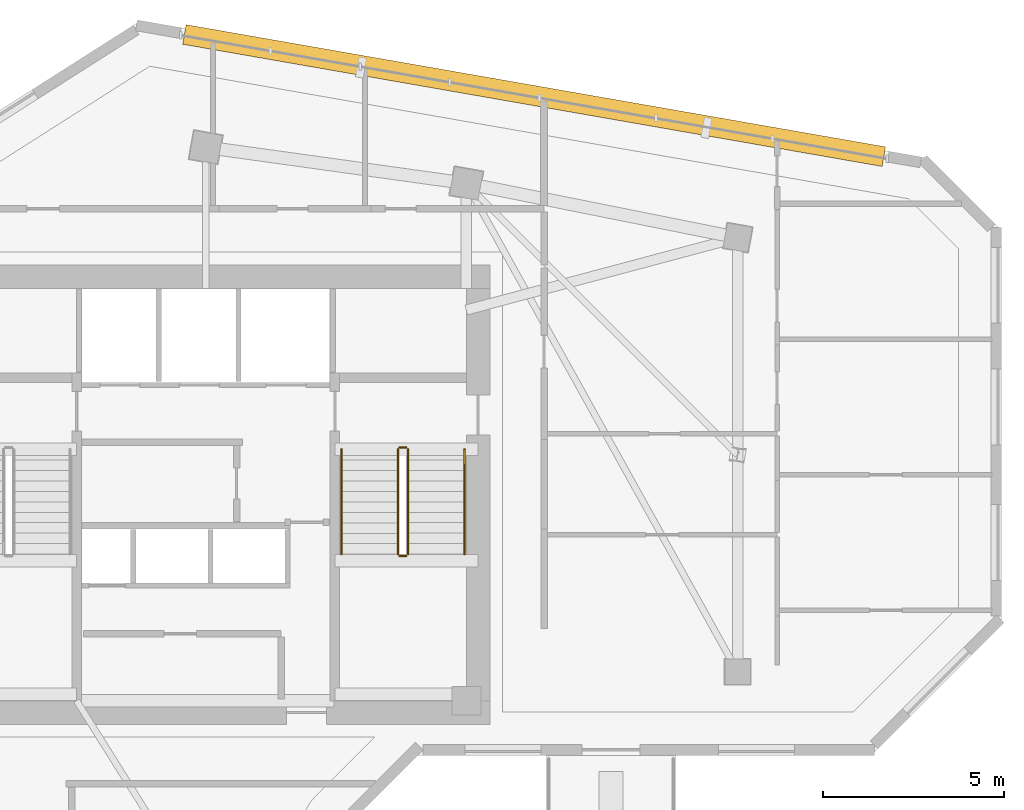
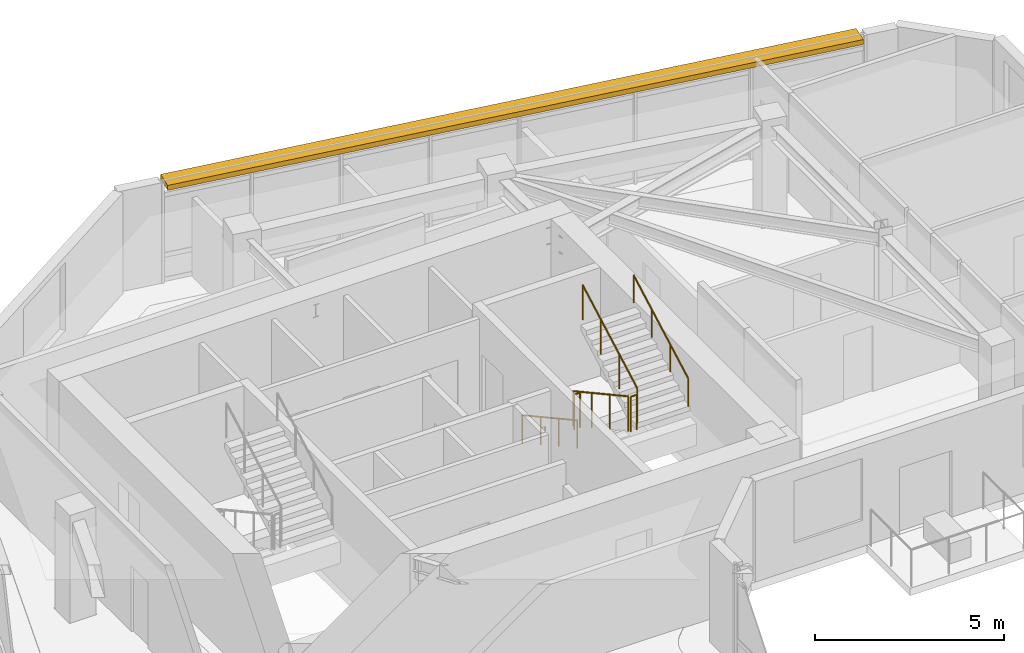
# One storey, part 9 of 9: 6 railings, 1 shading device.
"""IFC4 building model written with IfcOpenShell, lengths in metres."""

from ifc_helpers import new_model, si_unit, direction, frame, frame_2d, origin, origin_2d, place, context, subcontext, project, spatial, rectangle, circle, extrude, material, type_object, element, save


model = new_model("IFC4")

# Units and contexts
model_context = context("Model", 3, precision=1e-05, world=origin(), true_north=direction((0.0, 1.0)))
body_context = subcontext(model_context, "Body", "Model", "MODEL_VIEW")
ifc_project = project(units=[si_unit("LENGTHUNIT", "METRE"), si_unit("AREAUNIT", "SQUARE_METRE"), si_unit("VOLUMEUNIT", "CUBIC_METRE"), si_unit("PLANEANGLEUNIT", "RADIAN"), si_unit("MASSUNIT", "GRAM", prefix="KILO")], contexts=[model_context])

# Site, building, storey
site_placement = place(None, origin())
site = spatial("IfcSite", under=ifc_project, at=site_placement, CompositionType="ELEMENT")
building_placement = place(site_placement, origin())
building = spatial("IfcBuilding", under=site, at=building_placement, Name="Calvemar Wedge Station Tower", CompositionType="ELEMENT")
storey_placement = place(building_placement, frame((0.0, 0.0, 225.39990234375)))
storey = spatial("IfcBuildingStorey", under=building, at=storey_placement, Name="L57", CompositionType="ELEMENT", Elevation=225.39990234375)

# Railings
ifc_material_1 = material(Name="Stainless steel AISI 316L", Category="steel")
railing_type_1 = type_object("IfcRailingType", Name="RL-HANDRAIL-920", PredefinedType="HANDRAIL", material=ifc_material_1)
railing_1_placement = place(storey_placement, frame((27.550048828125, 41.14990234375, 0.1591796875)))
element("IfcRailing", 1, at=railing_1_placement, inside=storey, type_object=railing_type_1, Name="L57 ST-C2 stair handrail 1", PredefinedType="HANDRAIL", context=body_context, shape_type="SweptSolid", body=[
    extrude(circle(Radius=0.02392578125, at=origin_2d()), frame((0.0, 0.0, 0.89599609375), z_axis=(0.0, -0.876742130028, 0.480960744171), x_axis=(1.0, 0.0, 0.0)), (0.0, 0.0, 1.0), 3.3076171875),
    extrude(circle(Radius=0.02099609375, at=origin_2d()), origin(), (0.0, 0.0, 1.0), 0.871826171875),
    extrude(circle(Radius=0.02099609375, at=origin_2d()), frame((0.0, -0.966552734375, 0.5302734375)), (0.0, 0.0, 1.0), 0.871826171875),
    extrude(circle(Radius=0.02099609375, at=origin_2d()), frame((0.0, -1.933349609375, 1.060546875)), (0.0, 0.0, 1.0), 0.871826171875),
    extrude(circle(Radius=0.02099609375, at=origin_2d()), frame((0.0, -2.89990234375, 1.5908203125)), (0.0, 0.0, 1.0), 0.871826171875),
])
railing_2_placement = place(storey_placement, frame((30.949951171875, 38.25, 1.9091796875)))
element("IfcRailing", 2, at=railing_2_placement, inside=storey, type_object=railing_type_1, Name="L57 ST-C2 stair handrail 2", PredefinedType="HANDRAIL", context=body_context, shape_type="SweptSolid", body=[
    extrude(circle(Radius=0.02392578125, at=origin_2d()), frame((0.0, 0.0, 0.89599609375), z_axis=(0.0, 0.876742130028, 0.480960744171), x_axis=(-1.0, 0.0, 0.0)), (0.0, 0.0, 1.0), 3.3076171875),
    extrude(circle(Radius=0.02099609375, at=origin_2d()), origin(), (0.0, 0.0, 1.0), 0.871826171875),
    extrude(circle(Radius=0.02099609375, at=origin_2d()), frame((0.0, 0.966552734375, 0.5302734375)), (0.0, 0.0, 1.0), 0.871826171875),
    extrude(circle(Radius=0.02099609375, at=origin_2d()), frame((0.0, 1.933349609375, 1.060546875)), (0.0, 0.0, 1.0), 0.871826171875),
    extrude(circle(Radius=0.02099609375, at=origin_2d()), frame((0.0, 2.89990234375, 1.5908203125)), (0.0, 0.0, 1.0), 0.871826171875),
])
ifc_material_2 = material(Name="Painted steel guardrail ASTM A500 Grade C", Category="steel")
railing_type_2 = type_object("IfcRailingType", Name="RL-STAIR-GUARD-1150", PredefinedType="GUARDRAIL", material=ifc_material_2)
railing_3_placement = place(storey_placement, frame((29.110107421875, 41.14990234375, 0.1591796875)))
element("IfcRailing", 3, at=railing_3_placement, inside=storey, type_object=railing_type_2, Name="L57 ST-C2 stair guard 1", PredefinedType="GUARDRAIL", context=body_context, shape_type="SweptSolid", body=[
    extrude(circle(Radius=0.02392578125, at=origin_2d()), frame((0.0, 0.0, 1.1259765625), z_axis=(0.0, -0.876742130028, 0.480960744171), x_axis=(1.0, 0.0, 0.0)), (0.0, 0.0, 1.0), 3.3076171875),
    extrude(circle(Radius=0.02099609375, at=origin_2d()), origin(), (0.0, 0.0, 1.0), 1.101806640625),
    extrude(circle(Radius=0.02099609375, at=origin_2d()), frame((0.0, -0.966552734375, 0.5302734375)), (0.0, 0.0, 1.0), 1.101806640625),
    extrude(circle(Radius=0.02099609375, at=origin_2d()), frame((0.0, -1.933349609375, 1.060546875)), (0.0, 0.0, 1.0), 1.101806640625),
    extrude(circle(Radius=0.02099609375, at=origin_2d()), frame((0.0, -2.89990234375, 1.5908203125)), (0.0, 0.0, 1.0), 1.101806640625),
])
railing_4_placement = place(storey_placement, frame((29.159912109375, 38.199951171875, 1.75)))
element("IfcRailing", 4, at=railing_4_placement, inside=storey, type_object=railing_type_2, Name="L57 ST-C2 stair guard 2", PredefinedType="GUARDRAIL", context=body_context, shape_type="SweptSolid", body=[
    extrude(circle(Radius=0.02392578125, at=origin_2d()), frame((0.0, 0.0, 1.1259765625), z_axis=(1.0, 0.0, 0.0), x_axis=(0.0, 1.0, 0.0)), (0.0, 0.0, 1.0), 0.18017578125),
    extrude(circle(Radius=0.02099609375, at=origin_2d()), origin(), (0.0, 0.0, 1.0), 1.101806640625),
    extrude(circle(Radius=0.02099609375, at=origin_2d()), frame((0.18017578125, 0.0, 0.0)), (0.0, 0.0, 1.0), 1.101806640625),
])
railing_5_placement = place(storey_placement, frame((29.389892578125, 38.25, 1.9091796875)))
element("IfcRailing", 5, at=railing_5_placement, inside=storey, type_object=railing_type_2, Name="L57 ST-C2 stair guard 3", PredefinedType="GUARDRAIL", context=body_context, shape_type="SweptSolid", body=[
    extrude(circle(Radius=0.02392578125, at=origin_2d()), frame((0.0, 0.0, 1.1259765625), z_axis=(0.0, 0.876742130028, 0.480960744171), x_axis=(-1.0, 0.0, 0.0)), (0.0, 0.0, 1.0), 3.3076171875),
    extrude(circle(Radius=0.02099609375, at=origin_2d()), origin(), (0.0, 0.0, 1.0), 1.101806640625),
    extrude(circle(Radius=0.02099609375, at=origin_2d()), frame((0.0, 0.966552734375, 0.5302734375)), (0.0, 0.0, 1.0), 1.101806640625),
    extrude(circle(Radius=0.02099609375, at=origin_2d()), frame((0.0, 1.933349609375, 1.060546875)), (0.0, 0.0, 1.0), 1.101806640625),
    extrude(circle(Radius=0.02099609375, at=origin_2d()), frame((0.0, 2.89990234375, 1.5908203125)), (0.0, 0.0, 1.0), 1.101806640625),
])
railing_6_placement = place(storey_placement, frame((29.159912109375, 41.199951171875, 0.0)))
element("IfcRailing", 6, at=railing_6_placement, inside=storey, type_object=railing_type_2, Name="L57 ST-C2 stair guard 4", PredefinedType="GUARDRAIL", context=body_context, shape_type="SweptSolid", body=[
    extrude(circle(Radius=0.02392578125, at=origin_2d()), frame((0.0, 0.0, 1.1259765625), z_axis=(1.0, 0.0, 0.0), x_axis=(0.0, 1.0, 0.0)), (0.0, 0.0, 1.0), 0.18017578125),
    extrude(circle(Radius=0.02099609375, at=origin_2d()), origin(), (0.0, 0.0, 1.0), 1.101806640625),
    extrude(circle(Radius=0.02099609375, at=origin_2d()), frame((0.18017578125, 0.0, 0.0)), (0.0, 0.0, 1.0), 1.101806640625),
])

# Shading device
ifc_material_3 = material(Name="Precast concrete C45", Category="concrete")
shading_device_type = type_object("IfcShadingDeviceType", Name="SHD-EYEBROW-1", PredefinedType="SHUTTER", material=ifc_material_3)
shading_device_placement = place(storey_placement, frame((42.5419921875, 49.2392578125, 3.070068359375), z_axis=(0.0, 0.0, 1.0), x_axis=(-0.98508539267, 0.172066176654, 0.0)))
element("IfcShadingDevice", 7, at=shading_device_placement, inside=storey, type_object=shading_device_type, Name="Storey L57 Bronze GFRC Solar Eyebrow 10", PredefinedType="SHUTTER", context=body_context, shape_type="SweptSolid", body=[
    extrude(rectangle(XDim=19.62451171875, YDim=0.550048828125, at=frame_2d((9.812255859375, 0.0))), origin(), (0.0, 0.0, 1.0), 0.159912109375),
])

save(model, "model.ifc")
